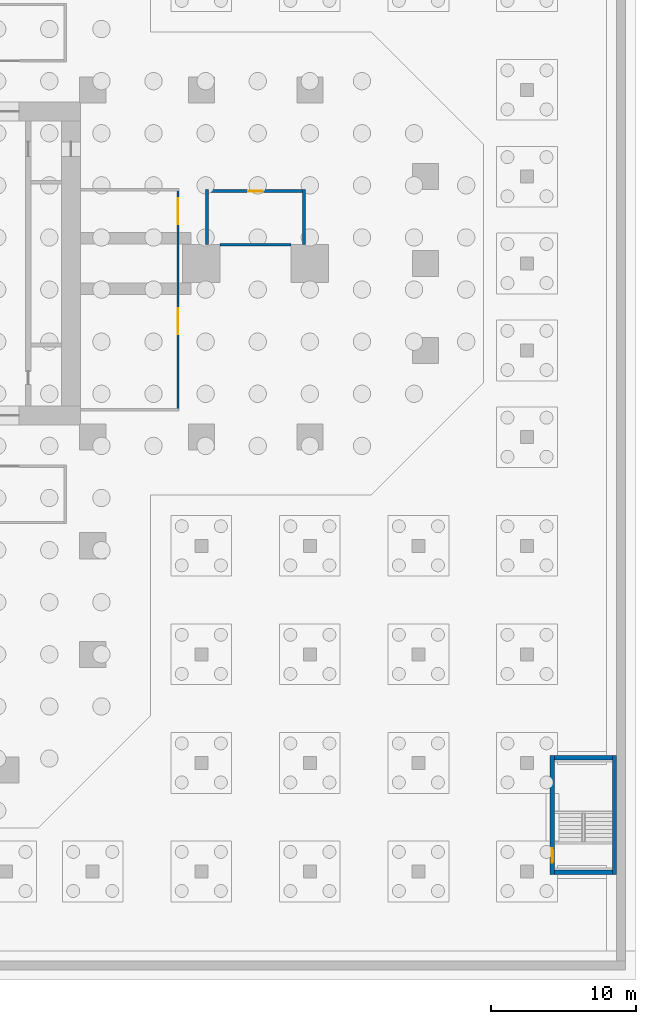
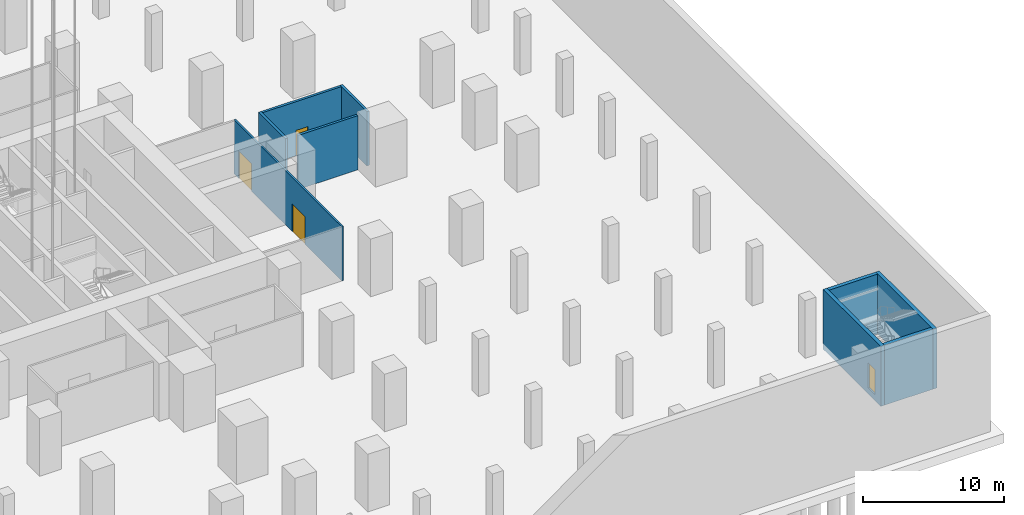
# One storey, part 11 of 31: 9 walls, 4 doors, 4 openings.
"""IFC4 building model written with IfcOpenShell, lengths in metres."""

from ifc_helpers import new_model, si_unit, direction, frame, frame_2d, origin, place, context, subcontext, project, spatial, rectangle, extrude, material, layer, layer_set, type_object, element, fill, save


model = new_model("IFC4")

# Units and contexts
model_context = context("Model", 3, precision=1e-05, world=origin(), true_north=direction((0.0, 1.0)))
body_context = subcontext(model_context, "Body", "Model", "MODEL_VIEW")
ifc_project = project(units=[si_unit("LENGTHUNIT", "METRE"), si_unit("AREAUNIT", "SQUARE_METRE"), si_unit("VOLUMEUNIT", "CUBIC_METRE"), si_unit("PLANEANGLEUNIT", "RADIAN"), si_unit("MASSUNIT", "GRAM", prefix="KILO")], contexts=[model_context])

# Site, building, storey
site_placement = place(None, origin())
site = spatial("IfcSite", under=ifc_project, at=site_placement, CompositionType="ELEMENT")
building_placement = place(site_placement, origin())
building = spatial("IfcBuilding", under=site, at=building_placement, Name="Mizan Broadcast Tower", CompositionType="ELEMENT")
storey_placement = place(building_placement, frame((0.0, 0.0, -10.0)))
storey = spatial("IfcBuildingStorey", under=building, at=storey_placement, Name="B2", CompositionType="ELEMENT", Elevation=-10.0)

# Wall, openings, doors
ifc_material_1 = material(Name="Concrete blockwork", Category="masonry")
ifc_layer_1 = layer(ifc_material_1, 0.14990234375)
ifc_layer_set_1 = layer_set([ifc_layer_1], Name="Concrete blockwork")
wall_type_1 = type_object("IfcWallType", Name="PLANT ROOM ENCLOSURE WALL 150", PredefinedType="SOLIDWALL", material=ifc_layer_set_1)
wall_1_placement = place(storey_placement, frame((17.89990234375, -10.175048828125, 0.0), z_axis=(0.0, 0.0, 1.0), x_axis=(0.0, 1.0, 0.0)))
wall_1 = element("IfcWall", 1, at=wall_1_placement, inside=storey, type_object=wall_type_1, Name="Plant room wall PT/EX", PredefinedType="SOLIDWALL", context=body_context, shape_type="SweptSolid", body=[
    extrude(rectangle(XDim=15.35009765625, YDim=0.14990234375, at=frame_2d((7.675048828125, 0.0))), origin(), (0.0, 0.0, 1.0), 4.699951171875),
])
opening_1_placement = place(wall_1_placement, frame((5.27490234375, 0.0, 0.0)))
opening_1 = element("IfcOpeningElement", 2, at=opening_1_placement, cuts=wall_1, Name="Opening D18P", PredefinedType="OPENING", context=body_context, shape_type="SweptSolid", body=[
    extrude(rectangle(XDim=1.800048828125, YDim=2.39990234375, at=frame_2d((0.89990234375, 1.199951171875))), frame((0.0, 0.0849609375, 0.0), z_axis=(0.0, -1.0, 0.0), x_axis=(1.0, 0.0, 0.0)), (0.0, 0.0, 1.0), 0.169921875),
])
opening_2_placement = place(wall_1_placement, frame((12.875, 0.0, 0.0)))
opening_2 = element("IfcOpeningElement", 3, at=opening_2_placement, cuts=wall_1, Name="Opening D18P", PredefinedType="OPENING", context=body_context, shape_type="SweptSolid", body=[
    extrude(rectangle(XDim=1.800048828125, YDim=2.39990234375, at=frame_2d((0.89990234375, 1.199951171875))), frame((0.0, 0.0849609375, 0.0), z_axis=(0.0, -1.0, 0.0), x_axis=(1.0, 0.0, 0.0)), (0.0, 0.0, 1.0), 0.169921875),
])
ifc_material_2 = material(Name="Steel door leaf in steel frame", Category="steel")
door_type_1 = type_object("IfcDoorType", Name="PLANT ROOM DOUBLE DOOR 1800x2400 FD90", OperationType="DOUBLE_DOOR_DOUBLE_SWING", PredefinedType="DOOR", material=ifc_material_2)
door_1_placement = place(opening_1_placement, origin())
door_1 = element("IfcDoor", 4, at=door_1_placement, inside=storey, type_object=door_type_1, Name="Fire pump room door", OperationType="DOUBLE_DOOR_DOUBLE_SWING", OverallHeight=2.39990234375, OverallWidth=1.800048828125, PredefinedType="DOOR", context=body_context, shape_type="SweptSolid", body=[
    extrude(rectangle(XDim=1.800048828125, YDim=2.39990234375, at=frame_2d((0.89990234375, 1.199951171875))), frame((0.0, 0.02490234375, 0.0), z_axis=(0.0, -1.0, 0.0), x_axis=(1.0, 0.0, 0.0)), (0.0, 0.0, 1.0), 0.050048828125),
])
fill(opening_1, door_1)
door_2_placement = place(opening_2_placement, origin())
door_2 = element("IfcDoor", 5, at=door_2_placement, inside=storey, type_object=door_type_1, Name="Fire pump room door", OperationType="DOUBLE_DOOR_DOUBLE_SWING", OverallHeight=2.39990234375, OverallWidth=1.800048828125, PredefinedType="DOOR", context=body_context, shape_type="SweptSolid", body=[
    extrude(rectangle(XDim=1.800048828125, YDim=2.39990234375, at=frame_2d((0.89990234375, 1.199951171875))), frame((0.0, 0.02490234375, 0.0), z_axis=(0.0, -1.0, 0.0), x_axis=(1.0, 0.0, 0.0)), (0.0, 0.0, 1.0), 0.050048828125),
])
fill(opening_2, door_2)

# Walls
ifc_material_3 = material(Name="Concrete C40/50", Category="concrete")
ifc_layer_2 = layer(ifc_material_3, 0.199951171875)
ifc_layer_set_2 = layer_set([ifc_layer_2], Name="Concrete C40/50")
wall_type_2 = type_object("IfcWallType", Name="STAIR SHAFT WALL 200 RC", PredefinedType="SOLIDWALL", material=ifc_layer_set_2)
for number, where, z_axis, x_axis, name in (
    (6, (19.89990234375, 1.300048828125, 0.0), (0.0, 0.0, 1.0), (0.0, 1.0, 0.0), "Stair shaft wall C U0 B2"),
    (7, (26.60009765625, 5.10009765625, 0.0), (0.0, 0.0, 1.0), (0.0, -1.0, 0.0), "Stair shaft wall C U1 B2"),
):
    element("IfcWall", number, at=place(storey_placement, frame(where, z_axis=z_axis, x_axis=x_axis)), inside=storey, type_object=wall_type_2, Name=name, PredefinedType="SOLIDWALL", context=body_context, shape_type="SweptSolid", body=[
        extrude(rectangle(XDim=3.800048828125, YDim=0.199951171875, at=frame_2d((1.89990234375, 0.0))), origin(), (0.0, 0.0, 1.0), 4.699951171875),
    ])
wall_2_placement = place(storey_placement, frame((20.800048828125, 1.300048828125, 0.0), z_axis=(0.0, 0.0, 1.0), x_axis=(1.0, 0.0, 0.0)))
element("IfcWall", 8, at=wall_2_placement, inside=storey, type_object=wall_type_2, Name="Stair shaft wall C V0 B2", PredefinedType="SOLIDWALL", context=body_context, shape_type="SweptSolid", body=[
    extrude(rectangle(XDim=4.89990234375, YDim=0.199951171875, at=frame_2d((2.449951171875, 0.0))), origin(), (0.0, 0.0, 1.0), 4.699951171875),
])

# Wall, opening, door
wall_3_placement = place(storey_placement, frame((26.5, 5.0, 0.0), z_axis=(0.0, 0.0, 1.0), x_axis=(-1.0, 0.0, 0.0)))
wall_3 = element("IfcWall", 9, at=wall_3_placement, inside=storey, type_object=wall_type_2, Name="Stair shaft wall C V1 B2", PredefinedType="SOLIDWALL", context=body_context, shape_type="SweptSolid", body=[
    extrude(rectangle(XDim=6.5, YDim=0.199951171875, at=frame_2d((3.25, 0.0))), origin(), (0.0, 0.0, 1.0), 4.699951171875),
])
opening_3_placement = place(wall_3_placement, frame((2.75, 0.0, 0.0)))
opening_3 = element("IfcOpeningElement", 10, at=opening_3_placement, cuts=wall_3, Name="Opening D10F", PredefinedType="OPENING", context=body_context, shape_type="SweptSolid", body=[
    extrude(rectangle(XDim=1.0, YDim=2.199951171875, at=frame_2d((0.5, 1.10009765625))), frame((0.0, 0.10986328125, 0.0), z_axis=(0.0, -1.0, 0.0), x_axis=(1.0, 0.0, 0.0)), (0.0, 0.0, 1.0), 0.219970703125),
])
ifc_material_4 = material(Name="Steel door leaf in steel frame", Category="steel")
door_type_2 = type_object("IfcDoorType", Name="FIRE DOOR 1000 FD90", OperationType="SINGLE_SWING_LEFT", PredefinedType="DOOR", material=ifc_material_4)
door_3_placement = place(opening_3_placement, origin())
door_3 = element("IfcDoor", 11, at=door_3_placement, inside=storey, type_object=door_type_2, Name="Car park store C door", OperationType="SINGLE_SWING_RIGHT", OverallHeight=2.199951171875, OverallWidth=1.0, PredefinedType="DOOR", context=body_context, shape_type="SweptSolid", body=[
    extrude(rectangle(XDim=1.0, YDim=2.199951171875, at=frame_2d((0.5, 1.10009765625))), frame((0.0, 0.02490234375, 0.0), z_axis=(0.0, -1.0, 0.0), x_axis=(1.0, 0.0, 0.0)), (0.0, 0.0, 1.0), 0.050048828125),
])
fill(opening_3, door_3)

ifc_material_5 = material(Name="Concrete C40/50", Category="concrete")
ifc_layer_3 = layer(ifc_material_5, 0.300048828125)
ifc_layer_set_3 = layer_set([ifc_layer_3], Name="Concrete C40/50")
wall_type_3 = type_object("IfcWallType", Name="STAIR SHAFT WALL 300 RC", PredefinedType="SOLIDWALL", material=ifc_layer_set_3)
wall_4_placement = place(storey_placement, frame((43.75, -42.199951171875, -0.5), z_axis=(0.0, 0.0, 1.0), x_axis=(0.0, 1.0, 0.0)))
wall_4 = element("IfcWall", 12, at=wall_4_placement, inside=storey, type_object=wall_type_3, Name="Stair shaft wall H I", PredefinedType="SOLIDWALL", context=body_context, shape_type="SweptSolid", body=[
    extrude(rectangle(XDim=8.199951171875, YDim=0.300048828125, at=frame_2d((4.10009765625, 0.0))), origin(), (0.0, 0.0, 1.0), 5.199951171875),
])
opening_4_placement = place(wall_4_placement, frame((0.800048828125, 0.0, 0.5)))
opening_4 = element("IfcOpeningElement", 13, at=opening_4_placement, cuts=wall_4, Name="Opening D10S", PredefinedType="OPENING", context=body_context, shape_type="SweptSolid", body=[
    extrude(rectangle(XDim=1.0, YDim=2.199951171875, at=frame_2d((0.5, 1.10009765625))), frame((0.0, 0.159912109375, 0.0), z_axis=(0.0, -1.0, 0.0), x_axis=(1.0, 0.0, 0.0)), (0.0, 0.0, 1.0), 0.320068359375),
])
ifc_material_6 = material(Name="Steel door leaf in steel frame", Category="steel")
door_type_3 = type_object("IfcDoorType", Name="STAIR DOOR 1000 FD90S", OperationType="SINGLE_SWING_RIGHT", PredefinedType="DOOR", material=ifc_material_6)
door_4_placement = place(opening_4_placement, origin())
door_4 = element("IfcDoor", 14, at=door_4_placement, inside=storey, type_object=door_type_3, Name="Stair H door", OperationType="SINGLE_SWING_RIGHT", OverallHeight=2.199951171875, OverallWidth=1.0, PredefinedType="DOOR", context=body_context, shape_type="SweptSolid", body=[
    extrude(rectangle(XDim=1.0, YDim=2.199951171875, at=frame_2d((0.5, 1.10009765625))), frame((0.0, 0.02490234375, 0.0), z_axis=(0.0, -1.0, 0.0), x_axis=(1.0, 0.0, 0.0)), (0.0, 0.0, 1.0), 0.050048828125),
])
fill(opening_4, door_4)

# Walls
wall_5_placement = place(storey_placement, frame((48.050048828125, -34.0, -0.5), z_axis=(0.0, 0.0, 1.0), x_axis=(0.0, -1.0, 0.0)))
element("IfcWall", 15, at=wall_5_placement, inside=storey, type_object=wall_type_3, Name="Stair shaft wall H O", PredefinedType="SOLIDWALL", context=body_context, shape_type="SweptSolid", body=[
    extrude(rectangle(XDim=8.199951171875, YDim=0.300048828125, at=frame_2d((4.10009765625, 0.0))), origin(), (0.0, 0.0, 1.0), 5.199951171875),
])
for number, where, z_axis, x_axis, name in (
    (16, (43.89990234375, -42.050048828125, -0.5), (0.0, 0.0, 1.0), (1.0, 0.0, 0.0), "Stair shaft wall H D"),
    (17, (47.89990234375, -34.14990234375, -0.5), (0.0, 0.0, 1.0), (-1.0, 0.0, 0.0), "Stair shaft wall H F"),
):
    element("IfcWall", number, at=place(storey_placement, frame(where, z_axis=z_axis, x_axis=x_axis)), inside=storey, type_object=wall_type_3, Name=name, PredefinedType="SOLIDWALL", context=body_context, shape_type="SweptSolid", body=[
        extrude(rectangle(XDim=4.0, YDim=0.300048828125, at=frame_2d((2.0, 0.0))), origin(), (0.0, 0.0, 1.0), 5.199951171875),
    ])

save(model, "model.ifc")
